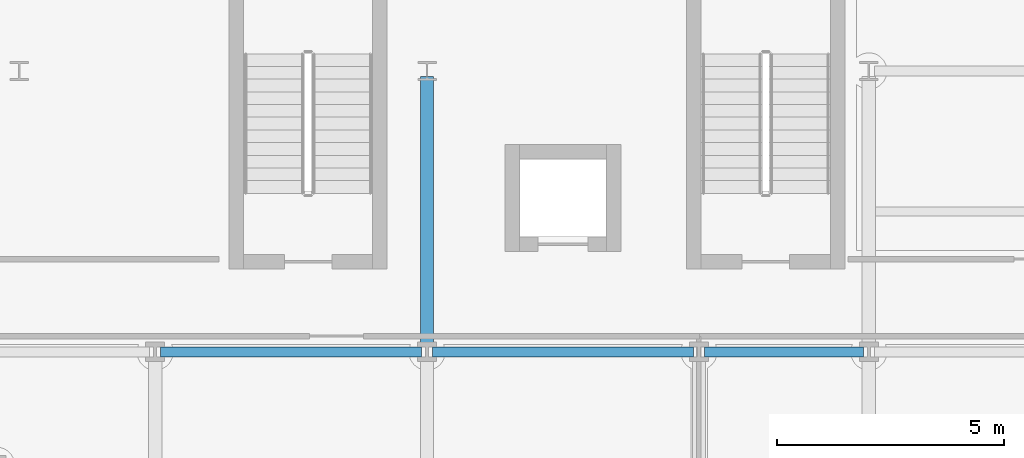
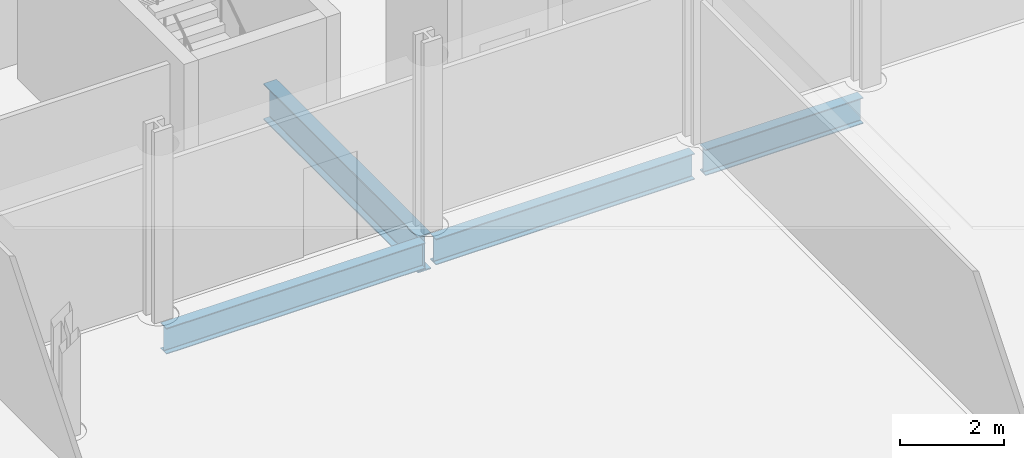
# One storey, part 6 of 25: 4 beams.
"""IFC4 building model written with IfcOpenShell, lengths in metres."""

from ifc_helpers import new_model, si_unit, direction, frame, origin, origin_2d, place, context, subcontext, project, spatial, i_section, extrude, material, material_profile, profile_set, type_object, element, save


model = new_model("IFC4")

# Units and contexts
model_context = context("Model", 3, precision=1e-05, world=origin(), true_north=direction((0.0, 1.0)))
body_context = subcontext(model_context, "Body", "Model", "MODEL_VIEW")
ifc_project = project(units=[si_unit("LENGTHUNIT", "METRE"), si_unit("AREAUNIT", "SQUARE_METRE"), si_unit("VOLUMEUNIT", "CUBIC_METRE"), si_unit("PLANEANGLEUNIT", "RADIAN"), si_unit("MASSUNIT", "GRAM", prefix="KILO")], contexts=[model_context])

# Site, building, storey
site_placement = place(None, origin())
site = spatial("IfcSite", under=ifc_project, at=site_placement, CompositionType="ELEMENT")
building_placement = place(site_placement, origin())
building = spatial("IfcBuilding", under=site, at=building_placement, Name="Brevholm Reach", CompositionType="ELEMENT")
storey_placement = place(building_placement, frame((0.0, 0.0, 13.5)))
storey = spatial("IfcBuildingStorey", under=building, at=storey_placement, Name="L03", CompositionType="ELEMENT", Elevation=13.5)

# Beams
ifc_material_1 = material(Name="Structural Steel S355J2", Category="steel")
ifc_material_profile_1 = material_profile(ifc_material_1, i_section(OverallWidth=0.22900390625, OverallDepth=0.6123046875, WebThickness=0.011962890625, FlangeThickness=0.01953125, FilletRadius=0.0126953125, at=origin_2d()), Name="UKB 610x229x125")
ifc_profile_set_1 = profile_set([ifc_material_profile_1], Name="Structural Steel S355J2")
beam_type_1 = type_object("IfcBeamType", Name="BM-SP610", PredefinedType="SPANDREL", material=ifc_profile_set_1)
for number, where, z_axis, x_axis, name in (
    (1, (6.1201171875, 31.0, -0.586181640625), (1.0, 0.0, 0.0), (0.0, 1.0, 0.0), "L03 SP-01 Framing Beam"),
    (2, (12.1201171875, 31.0, -0.586181640625), (1.0, 0.0, 0.0), (0.0, 1.0, 0.0), "L03 SP-01 Framing Beam"),
):
    element("IfcBeam", number, at=place(storey_placement, frame(where, z_axis=z_axis, x_axis=x_axis)), inside=storey, type_object=beam_type_1, Name=name, PredefinedType="SPANDREL", context=body_context, shape_type="SweptSolid", body=[
        extrude(i_section(OverallWidth=0.22900390625, OverallDepth=0.6123046875, WebThickness=0.011962890625, FlangeThickness=0.01953125, FilletRadius=0.0126953125, at=origin_2d()), origin(), (0.0, 0.0, 1.0), 5.759765625),
    ])
beam_1_placement = place(storey_placement, frame((18.1201171875, 31.0, -0.586181640625), z_axis=(1.0, 0.0, 0.0), x_axis=(0.0, 1.0, 0.0)))
element("IfcBeam", 3, at=beam_1_placement, inside=storey, type_object=beam_type_1, Name="L03 SP-01 Framing Beam", PredefinedType="SPANDREL", context=body_context, shape_type="SweptSolid", body=[
    extrude(i_section(OverallWidth=0.22900390625, OverallDepth=0.6123046875, WebThickness=0.011962890625, FlangeThickness=0.01953125, FilletRadius=0.0126953125, at=origin_2d()), origin(), (0.0, 0.0, 1.0), 3.509765625),
])
ifc_material_2 = material(Name="Structural Steel S355J2", Category="steel")
ifc_material_profile_2 = material_profile(ifc_material_2, i_section(OverallWidth=0.293701171875, OverallDepth=0.850830078125, WebThickness=0.01611328125, FlangeThickness=0.02685546875, FilletRadius=0.017822265625, at=origin_2d()), Name="UKB 838x292x226")
ifc_profile_set_2 = profile_set([ifc_material_profile_2], Name="Structural Steel S355J2")
beam_type_2 = type_object("IfcBeamType", Name="BM-UKB838", PredefinedType="USERDEFINED", material=ifc_profile_set_2)
beam_2_placement = place(storey_placement, frame((12.0, 31.1201171875, -0.70556640625), z_axis=(0.0, 1.0, 0.0), x_axis=(-1.0, 0.0, 0.0)))
element("IfcBeam", 4, at=beam_2_placement, inside=storey, type_object=beam_type_2, Name="L03 G-03 Framing Beam", ObjectType="GIRDER", PredefinedType="USERDEFINED", context=body_context, shape_type="SweptSolid", body=[
    extrude(i_section(OverallWidth=0.293701171875, OverallDepth=0.850830078125, WebThickness=0.01611328125, FlangeThickness=0.02685546875, FilletRadius=0.017822265625, at=origin_2d()), origin(), (0.0, 0.0, 1.0), 5.9599609375),
])

save(model, "model.ifc")
